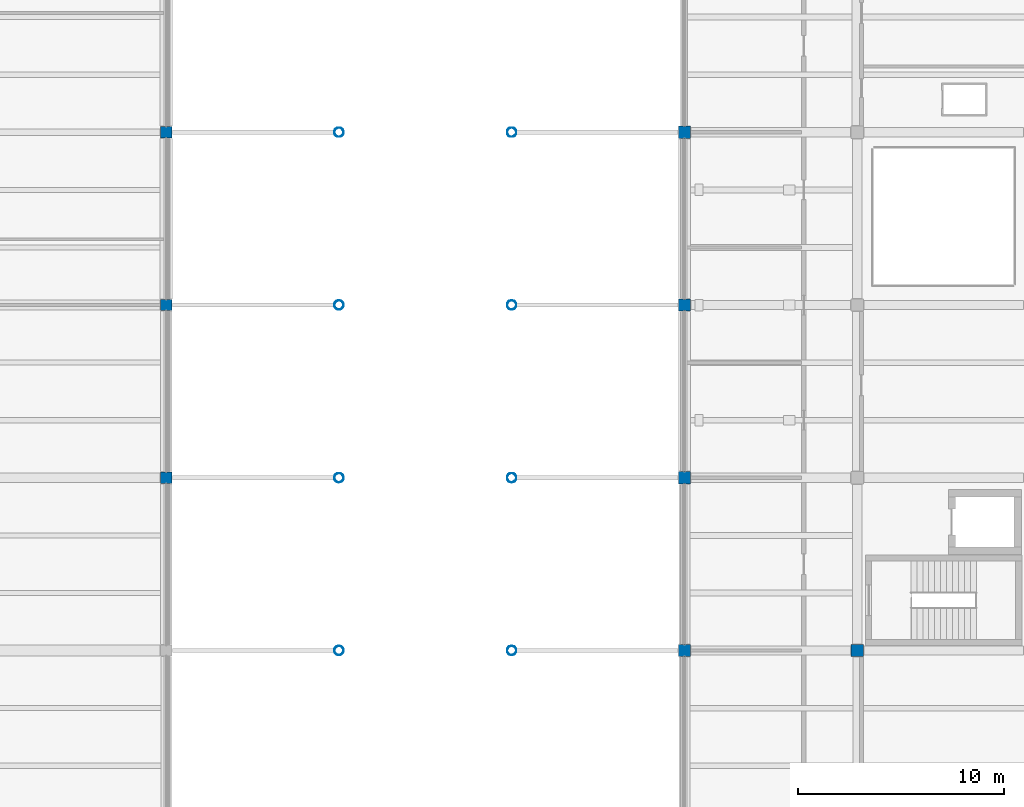
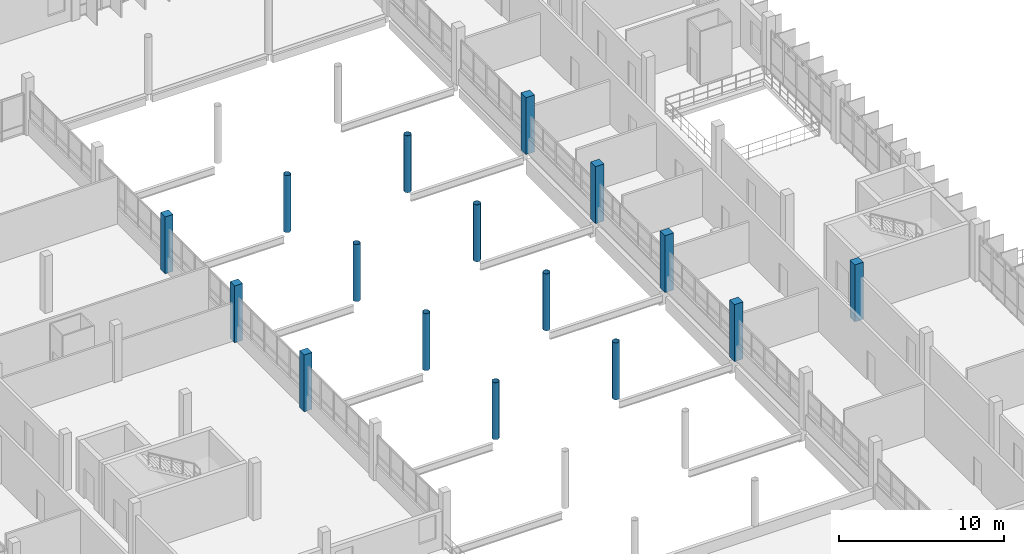
# One storey, part 4 of 130: 16 columns.
"""IFC4 building model written with IfcOpenShell, lengths in metres."""

from ifc_helpers import new_model, si_unit, direction, frame, origin, origin_2d, place, context, subcontext, project, spatial, rectangle, hollow_circle, extrude, material, material_profile, profile_set, type_object, element, save


model = new_model("IFC4")

# Units and contexts
model_context = context("Model", 3, precision=1e-05, world=origin(), true_north=direction((0.0, 1.0)))
body_context = subcontext(model_context, "Body", "Model", "MODEL_VIEW")
ifc_project = project(units=[si_unit("LENGTHUNIT", "METRE"), si_unit("AREAUNIT", "SQUARE_METRE"), si_unit("VOLUMEUNIT", "CUBIC_METRE"), si_unit("PLANEANGLEUNIT", "RADIAN"), si_unit("MASSUNIT", "GRAM", prefix="KILO")], contexts=[model_context])

# Site, building, storey
site_placement = place(None, origin())
site = spatial("IfcSite", under=ifc_project, at=site_placement, CompositionType="ELEMENT")
building_placement = place(site_placement, origin())
building = spatial("IfcBuilding", under=site, at=building_placement, Name="Vireocrest Preparatory School", CompositionType="ELEMENT")
storey_placement = place(building_placement, frame((0.0, 0.0, 9.0)))
storey = spatial("IfcBuildingStorey", under=building, at=storey_placement, Name="L02", CompositionType="ELEMENT", Elevation=9.0)

# Columns
ifc_material_1 = material(Name="Concrete 45 MPa", Category="concrete")
ifc_material_profile_1 = material_profile(ifc_material_1, rectangle(XDim=0.550048828125, YDim=0.550048828125, at=origin_2d()), Name="RC 550x550")
ifc_profile_set_1 = profile_set([ifc_material_profile_1], Name="Concrete 45 MPa")
column_type_1 = type_object("IfcColumnType", Name="RC Column 550x550", PredefinedType="COLUMN", material=ifc_profile_set_1)
for number, where, z_axis, x_axis, name in (
    (1, (67.199951171875, 52.199951171875, 0.0), (0.0, 0.0, 1.0), (1.0, 0.0, 0.0), "Column C04 L02 9/G"),
    (2, (67.199951171875, 60.60009765625, 0.0), (0.0, 0.0, 1.0), (1.0, 0.0, 0.0), "Column C04 L02 9/H"),
    (3, (67.199951171875, 69.0, 0.0), (0.0, 0.0, 1.0), (1.0, 0.0, 0.0), "Column C04 L02 9/J"),
):
    element("IfcColumn", number, at=place(storey_placement, frame(where, z_axis=z_axis, x_axis=x_axis)), inside=storey, type_object=column_type_1, Name=name, PredefinedType="COLUMN", context=body_context, shape_type="SweptSolid", body=[
        extrude(rectangle(XDim=0.550048828125, YDim=0.550048828125, at=origin_2d()), origin(), (0.0, 0.0, 1.0), 4.199951171875),
    ])
ifc_material_profile_2 = material_profile(ifc_material_1, rectangle(XDim=0.60009765625, YDim=0.60009765625, at=origin_2d()), Name="RC 600x600")
ifc_profile_set_2 = profile_set([ifc_material_profile_2], Name="Concrete 45 MPa")
column_type_2 = type_object("IfcColumnType", Name="RC Column 600x600", PredefinedType="COLUMN", material=ifc_profile_set_2)
for number, where, z_axis, x_axis, name in (
    (4, (92.39990234375, 43.800048828125, 0.0), (0.0, 0.0, 1.0), (1.0, 0.0, 0.0), "Column C05 L02 12/F"),
    (5, (92.39990234375, 52.199951171875, 0.0), (0.0, 0.0, 1.0), (1.0, 0.0, 0.0), "Column C05 L02 12/G"),
    (6, (92.39990234375, 60.60009765625, 0.0), (0.0, 0.0, 1.0), (1.0, 0.0, 0.0), "Column C05 L02 12/H"),
    (7, (92.39990234375, 69.0, 0.0), (0.0, 0.0, 1.0), (1.0, 0.0, 0.0), "Column C05 L02 12/J"),
    (8, (100.800048828125, 43.800048828125, 0.0), (0.0, 0.0, 1.0), (1.0, 0.0, 0.0), "Column C05 L02 13/F"),
):
    element("IfcColumn", number, at=place(storey_placement, frame(where, z_axis=z_axis, x_axis=x_axis)), inside=storey, type_object=column_type_2, Name=name, PredefinedType="COLUMN", context=body_context, shape_type="SweptSolid", body=[
        extrude(rectangle(XDim=0.60009765625, YDim=0.60009765625, at=origin_2d()), origin(), (0.0, 0.0, 1.0), 4.199951171875),
    ])
ifc_material_2 = material(Name="Painted white steel ASTM A500 Grade C", Category="steel")
ifc_material_profile_3 = material_profile(ifc_material_2, hollow_circle(Radius=0.228515625, WallThickness=0.0126953125, at=origin_2d()), Name="HSS18.000X0.500")
ifc_profile_set_3 = profile_set([ifc_material_profile_3], Name="Painted white steel ASTM A500 Grade C")
column_type_3 = type_object("IfcColumnType", Name="White Steel Court Trunk HSS18.000X0.500", PredefinedType="USERDEFINED", material=ifc_profile_set_3)
for number, where, z_axis, x_axis, name in (
    (9, (75.60009765625, 43.800048828125, 0.0), (0.0, 0.0, 1.0), (1.0, 0.0, 0.0), "Court Canopy Trunk VC2 W3 L02"),
    (10, (84.0, 43.800048828125, 0.0), (0.0, 0.0, 1.0), (1.0, 0.0, 0.0), "Court Canopy Trunk VC2 E3 L02"),
    (11, (75.60009765625, 52.199951171875, 0.0), (0.0, 0.0, 1.0), (1.0, 0.0, 0.0), "Court Canopy Trunk VC2 W4 L02"),
    (12, (84.0, 52.199951171875, 0.0), (0.0, 0.0, 1.0), (1.0, 0.0, 0.0), "Court Canopy Trunk VC2 E4 L02"),
    (13, (75.60009765625, 60.60009765625, 0.0), (0.0, 0.0, 1.0), (1.0, 0.0, 0.0), "Court Canopy Trunk VC2 W5 L02"),
    (14, (84.0, 60.60009765625, 0.0), (0.0, 0.0, 1.0), (1.0, 0.0, 0.0), "Court Canopy Trunk VC2 E5 L02"),
    (15, (75.60009765625, 69.0, 0.0), (0.0, 0.0, 1.0), (1.0, 0.0, 0.0), "Court Canopy Trunk VC2 W6 L02"),
    (16, (84.0, 69.0, 0.0), (0.0, 0.0, 1.0), (1.0, 0.0, 0.0), "Court Canopy Trunk VC2 E6 L02"),
):
    element("IfcColumn", number, at=place(storey_placement, frame(where, z_axis=z_axis, x_axis=x_axis)), inside=storey, type_object=column_type_3, Name=name, ObjectType="PILOTI", PredefinedType="USERDEFINED", context=body_context, shape_type="SweptSolid", body=[
        extrude(hollow_circle(Radius=0.228515625, WallThickness=0.0126953125, at=origin_2d()), origin(), (0.0, 0.0, 1.0), 4.199951171875),
    ])

save(model, "model.ifc")
